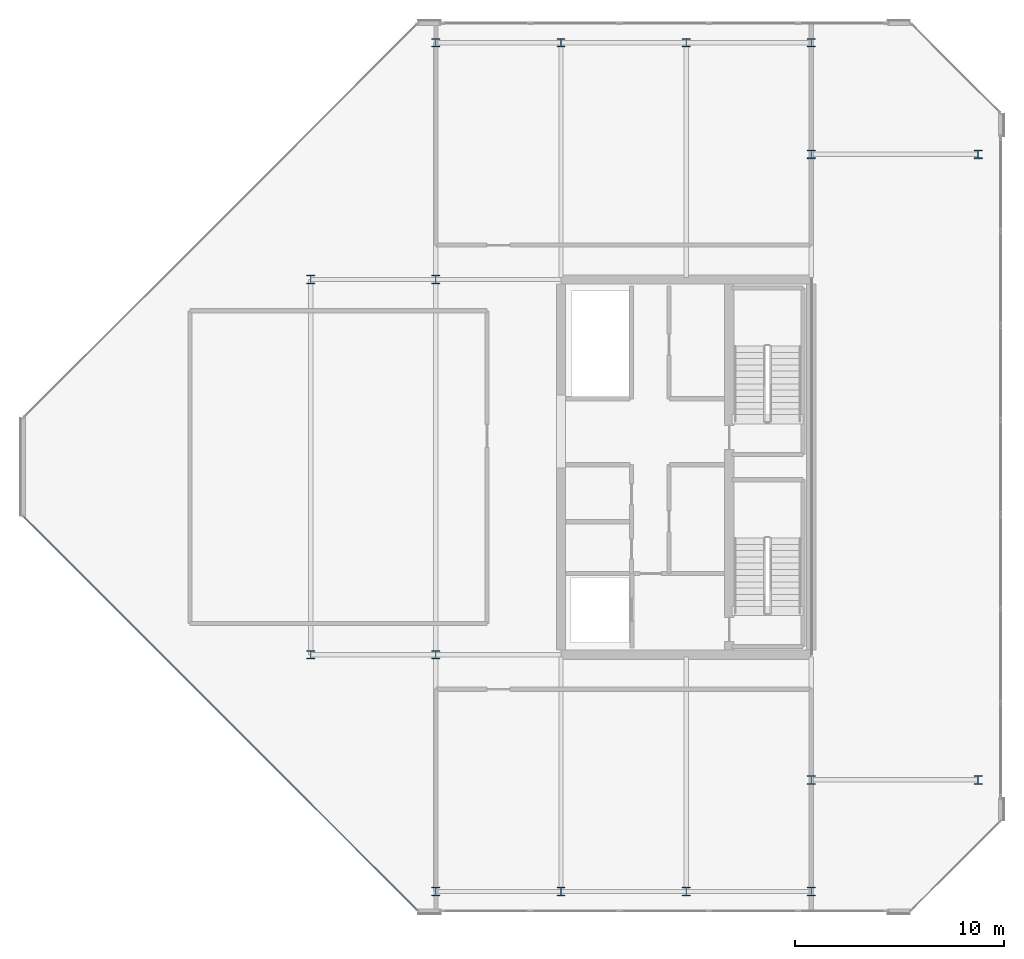
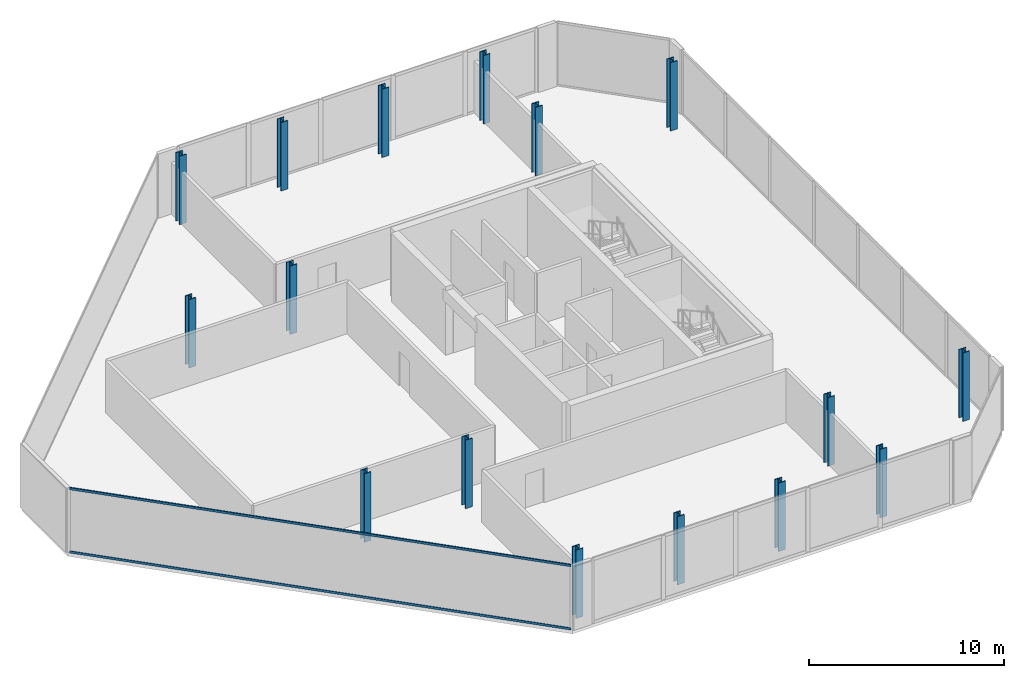
# One storey, part 1 of 16: 16 columns, 2 members, 1 element without a shape of its own.
"""IFC4 building model written with IfcOpenShell, lengths in metres."""

from ifc_helpers import new_model, si_unit, direction, frame, origin, origin_2d, place, context, subcontext, project, spatial, hollow_rectangle, i_section, extrude, material, layer, layer_set, material_profile, profile_set, type_object, element, aggregate, save


model = new_model("IFC4")

# Units and contexts
model_context = context("Model", 3, precision=1e-05, world=origin(), true_north=direction((0.0, 1.0)))
body_context = subcontext(model_context, "Body", "Model", "MODEL_VIEW")
ifc_project = project(units=[si_unit("LENGTHUNIT", "METRE"), si_unit("AREAUNIT", "SQUARE_METRE"), si_unit("VOLUMEUNIT", "CUBIC_METRE"), si_unit("PLANEANGLEUNIT", "RADIAN"), si_unit("MASSUNIT", "GRAM", prefix="KILO")], contexts=[model_context])

# Site, building, storey
site_placement = place(None, origin())
site = spatial("IfcSite", under=ifc_project, at=site_placement, CompositionType="ELEMENT")
building_placement = place(site_placement, origin())
building = spatial("IfcBuilding", under=site, at=building_placement, Name="Tanjung Sevakor Pilgrim Tower", CompositionType="ELEMENT")
storey_placement = place(building_placement, frame((0.0, 0.0, 278.85009765625)))
storey = spatial("IfcBuildingStorey", under=building, at=storey_placement, Name="L78", CompositionType="ELEMENT", Elevation=278.85009765625)

# Columns
ifc_material_1 = material(Name="Steel S460M", Category="steel")
ifc_material_profile_1 = material_profile(ifc_material_1, i_section(OverallWidth=0.406982421875, OverallDepth=0.4189453125, WebThickness=0.030517578125, FlangeThickness=0.04931640625, FilletRadius=0.01513671875, at=origin_2d()))
ifc_profile_set_1 = profile_set([ifc_material_profile_1], Name="Steel S460M")
column_type = type_object("IfcColumnType", Name="COL-C-S393-UC_356x406x393", PredefinedType="COLUMN", material=ifc_profile_set_1)
for number, where, z_axis, x_axis, name in (
    (1, (66.0, 24.60009765625, 0.0), (0.0, 0.0, 1.0), (1.0, 0.0, 0.0), "L78 Column SPE-066-246"),
    (2, (66.0, 42.60009765625, 0.0), (0.0, 0.0, 1.0), (1.0, 0.0, 0.0), "L78 Column SPE-066-426"),
    (3, (72.0, 24.60009765625, 0.0), (0.0, 0.0, 1.0), (1.0, 0.0, 0.0), "L78 Column SPE-072-246"),
    (4, (72.0, 42.60009765625, 0.0), (0.0, 0.0, 1.0), (1.0, 0.0, 0.0), "L78 Column SPE-072-426"),
    (5, (90.0, 18.60009765625, 0.0), (0.0, 0.0, 1.0), (1.0, 0.0, 0.0), "L78 Column TCE-0900-186"),
    (6, (90.0, 48.60009765625, 0.0), (0.0, 0.0, 1.0), (1.0, 0.0, 0.0), "L78 Column TCE-0900-486"),
    (7, (98.0, 18.60009765625, 0.0), (0.0, 0.0, 1.0), (1.0, 0.0, 0.0), "L78 Column TCE-0980-186"),
    (8, (98.0, 48.60009765625, 0.0), (0.0, 0.0, 1.0), (1.0, 0.0, 0.0), "L78 Column TCE-0980-486"),
    (9, (72.0, 13.25, 0.0), (0.0, 0.0, 1.0), (1.0, 0.0, 0.0), "L78 Column TC4-072-132"),
    (10, (72.0, 53.949951171875, 0.0), (0.0, 0.0, 1.0), (1.0, 0.0, 0.0), "L78 Column TC4-072-540"),
    (11, (78.0, 13.25, 0.0), (0.0, 0.0, 1.0), (1.0, 0.0, 0.0), "L78 Column TC4-078-132"),
    (12, (78.0, 53.949951171875, 0.0), (0.0, 0.0, 1.0), (1.0, 0.0, 0.0), "L78 Column TC4-078-540"),
    (13, (84.0, 13.25, 0.0), (0.0, 0.0, 1.0), (1.0, 0.0, 0.0), "L78 Column TC4-084-132"),
    (14, (84.0, 53.949951171875, 0.0), (0.0, 0.0, 1.0), (1.0, 0.0, 0.0), "L78 Column TC4-084-540"),
    (15, (90.0, 13.25, 0.0), (0.0, 0.0, 1.0), (1.0, 0.0, 0.0), "L78 Column TC4-090-132"),
    (16, (90.0, 53.949951171875, 0.0), (0.0, 0.0, 1.0), (1.0, 0.0, 0.0), "L78 Column TC4-090-540"),
):
    element("IfcColumn", number, at=place(storey_placement, frame(where, z_axis=z_axis, x_axis=x_axis)), inside=storey, type_object=column_type, Name=name, PredefinedType="COLUMN", context=body_context, shape_type="SweptSolid", body=[
        extrude(i_section(OverallWidth=0.406982421875, OverallDepth=0.4189453125, WebThickness=0.030517578125, FlangeThickness=0.04931640625, FilletRadius=0.01513671875, at=origin_2d()), origin(), (0.0, 0.0, 1.0), 4.289794921875),
    ])

# Curtain wall, members
ifc_material_2 = material(Name="Aluminium 6063-T6 and Low-E Glass", Category="aluminium")
ifc_layer = layer(ifc_material_2, 0.179931640625)
ifc_layer_set = layer_set([ifc_layer], Name="CW-SYS-CHAM")
curtain_wall_type = type_object("IfcCurtainWallType", Name="CW-SYS-CHAM", PredefinedType="NOTDEFINED", material=ifc_layer_set)
curtain_wall_placement = place(storey_placement, origin())
curtain_wall = element("IfcCurtainWall", 17, at=curtain_wall_placement, inside=storey, type_object=curtain_wall_type, Name="L78 Curtain Wall CW-CHM-L78-EAST-7", PredefinedType="NOTDEFINED")
ifc_material_3 = material(Name="Aluminium 6063-T6", Category="aluminium")
ifc_material_profile_2 = material_profile(ifc_material_3, hollow_rectangle(XDim=0.06494140625, YDim=0.139892578125, WallThickness=0.00390625, at=origin_2d()))
ifc_profile_set_2 = profile_set([ifc_material_profile_2], Name="Aluminium 6063-T6")
member_type = type_object("IfcMemberType", Name="TYPE-CWT-1", PredefinedType="USERDEFINED", material=ifc_profile_set_2)
member_1_placement = place(storey_placement, frame((52.255859375, 31.19970703125, 0.032470703125), z_axis=(0.707106781187, -0.707106781187, 0.0), x_axis=(0.707106781187, 0.707106781187, 0.0)))
member_1 = element("IfcMember", 18, at=member_1_placement, type_object=member_type, Name="CW-CHM transom 1.1", ObjectType="TRANSOM", PredefinedType="USERDEFINED", context=body_context, shape_type="SweptSolid", body=[
    extrude(hollow_rectangle(XDim=0.06494140625, YDim=0.139892578125, WallThickness=0.00390625, at=origin_2d()), origin(), (0.0, 0.0, 1.0), 26.649169921875),
])
member_2_placement = place(storey_placement, frame((52.255859375, 31.19970703125, 3.997314453125), z_axis=(0.707106781187, -0.707106781187, 0.0), x_axis=(0.707106781187, 0.707106781187, 0.0)))
member_2 = element("IfcMember", 19, at=member_2_placement, type_object=member_type, Name="CW-CHM transom 1.2", ObjectType="TRANSOM", PredefinedType="USERDEFINED", context=body_context, shape_type="SweptSolid", body=[
    extrude(hollow_rectangle(XDim=0.06494140625, YDim=0.139892578125, WallThickness=0.00390625, at=origin_2d()), origin(), (0.0, 0.0, 1.0), 26.649169921875),
])
aggregate(curtain_wall, [member_1, member_2])

save(model, "model.ifc")
